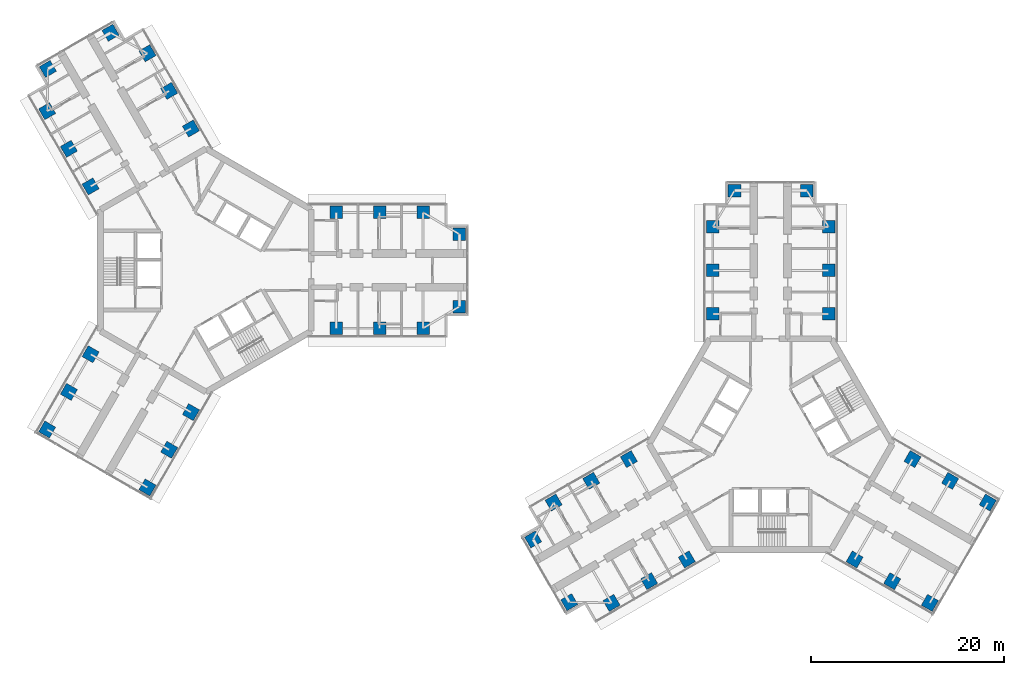
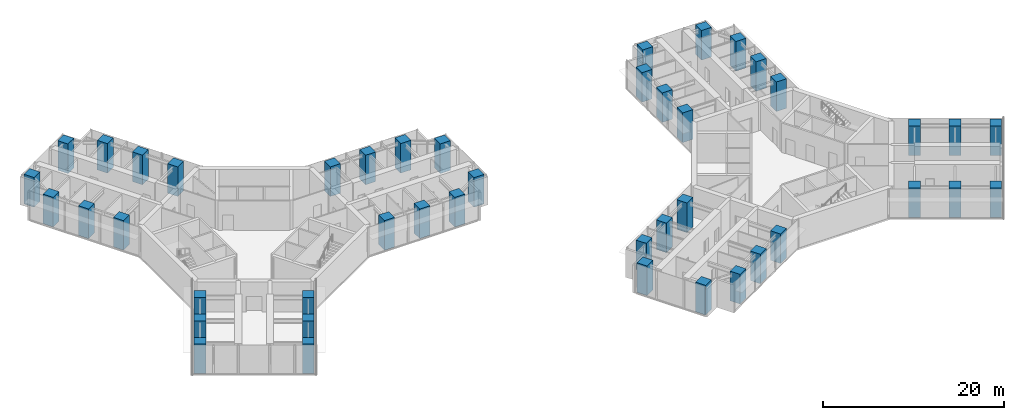
# One storey, part 1 of 22: 44 columns.
"""IFC4 building model written with IfcOpenShell, lengths in metres."""

import ifcopenshell
import ifcopenshell.guid

model = None  # the IFC model being written
_history = None  # IfcOwnerHistory: only IFC2X3 demands one
_inside = {}  # id of a spatial element -> (the spatial element, [elements in it])
_under = {}  # id of a project, library or spatial element -> (it, [spatial elements below it])
_declared = {}  # id of a project -> (the project, [libraries it declares])
_typed = {}  # id of a type object -> (the type object, [elements of that type])
_made_of = {}  # id of a material, layer set ... -> (it, [elements and type objects made of it])


def new_model(schema):
    """Start an empty IFC model of exactly this schema.

    Asked for "IFC4X3", IfcOpenShell would pick the latest addendum, in which some entities
    have other attributes; the version numbers below select the first issue.
    IFC2X3 requires an IfcOwnerHistory on every rooted entity: one is made here for all.
    """
    global model, _history
    if schema == "IFC4X3":
        model = ifcopenshell.file(schema_version=(4, 3, 0, 0))
    else:
        model = ifcopenshell.file(schema=schema)
    _inside.clear()
    _under.clear()
    _declared.clear()
    _typed.clear()
    _made_of.clear()
    _history = None
    if model.schema == "IFC2X3":
        org = make("IfcOrganization", Name="unknown")
        user = make(
            "IfcPersonAndOrganization",
            ThePerson=make("IfcPerson", FamilyName="unknown"),
            TheOrganization=org,
        )
        app = make(
            "IfcApplication",
            ApplicationDeveloper=org,
            Version="unknown",
            ApplicationFullName="unknown",
            ApplicationIdentifier="unknown",
        )
        _history = make(
            "IfcOwnerHistory",
            OwningUser=user,
            OwningApplication=app,
            ChangeAction="ADDED",
            CreationDate=0,
        )
    return model


def make(cls, **values):
    """One entity of the class cls with the attributes given. An attribute that is None is left unset."""
    return model.create_entity(
        cls, **{name: value for name, value in values.items() if value is not None}
    )


def rooted(cls, **values):
    """An entity with a GlobalId (a new one), such as an element, a storey or a relation."""
    return make(cls, GlobalId=ifcopenshell.guid.new(), OwnerHistory=_history, **values)


def si_unit(unit_type, name, prefix=None):
    """IfcSIUnit, for example si_unit("LENGTHUNIT", "METRE", prefix="MILLI")."""
    return make("IfcSIUnit", UnitType=unit_type, Prefix=prefix, Name=name)


def assignment(units):
    """IfcUnitAssignment: the units of a project."""
    return None if units is None else make("IfcUnitAssignment", Units=units)


def point(xyz):
    """IfcCartesianPoint."""
    return None if xyz is None else make("IfcCartesianPoint", Coordinates=xyz)


def direction(xyz):
    """IfcDirection."""
    return None if xyz is None else make("IfcDirection", DirectionRatios=xyz)


def frame(location, z_axis=None, x_axis=None):
    """IfcAxis2Placement3D, a coordinate frame: its origin and axes. An axis left out is left unset."""
    return make(
        "IfcAxis2Placement3D",
        Location=point(location),
        Axis=direction(z_axis),
        RefDirection=direction(x_axis),
    )


def frame_2d(location, x_axis=None):
    """IfcAxis2Placement2D, a coordinate frame in the plane: its origin and x axis."""
    return make(
        "IfcAxis2Placement2D", Location=point(location), RefDirection=direction(x_axis)
    )


def origin():
    """The frame at (0, 0, 0) with its axes left unset."""
    return frame((0.0, 0.0, 0.0))


def origin_2d():
    """The frame at (0, 0) in the plane with its x axis left unset."""
    return frame_2d((0.0, 0.0))


def place(relative_to, where):
    """IfcLocalPlacement: puts the frame where relative to a parent placement (None: the world)."""
    return make(
        "IfcLocalPlacement", PlacementRelTo=relative_to, RelativePlacement=where
    )


def context(
    kind, dimensions, precision=None, world=None, true_north=None, identifier=None
):
    """IfcGeometricRepresentationContext, for example the 3D "Model" context."""
    return make(
        "IfcGeometricRepresentationContext",
        ContextIdentifier=identifier,
        ContextType=kind,
        CoordinateSpaceDimension=dimensions,
        Precision=precision,
        WorldCoordinateSystem=world,
        TrueNorth=true_north,
    )


def subcontext(parent, identifier, kind, view, scale=None):
    """IfcGeometricRepresentationSubContext, for example "Body" below "Model"."""
    return make(
        "IfcGeometricRepresentationSubContext",
        ContextIdentifier=identifier,
        ContextType=kind,
        ParentContext=parent,
        TargetScale=scale,
        TargetView=view,
    )


def project(units=None, contexts=None):
    """IfcProject with its units and contexts."""
    return rooted(
        "IfcProject",
        Name="project",
        RepresentationContexts=contexts,
        UnitsInContext=assignment(units),
    )


def spatial(cls, under=None, at=None, **own):
    """A site, building, storey or space (cls), placed at a placement, below another one or the project."""
    s = rooted(cls, ObjectPlacement=at, **own)
    if under is not None:
        _under.setdefault(under.id(), (under, []))[1].append(s)
    return s


def profile(cls, at=None, kind="AREA", **sizes):
    """A parametric profile (cls). Its sizes go by their IFC names, for example OverallWidth=200.0."""
    return make(cls, ProfileType=kind, Position=at, **sizes)


def rectangle(**sizes):
    """IfcRectangleProfileDef."""
    return profile("IfcRectangleProfileDef", **sizes)


def extrude(swept, where, along, depth):
    """IfcExtrudedAreaSolid: the profile swept, set in the frame where, extruded along a direction by depth."""
    return make(
        "IfcExtrudedAreaSolid",
        SweptArea=swept,
        Position=where,
        ExtrudedDirection=direction(along),
        Depth=depth,
    )


def shape(context_of_items, identifier, shape_type, items):
    """IfcShapeRepresentation: the items that make up one representation, for example the "Body"."""
    return make(
        "IfcShapeRepresentation",
        ContextOfItems=context_of_items,
        RepresentationIdentifier=identifier,
        RepresentationType=shape_type,
        Items=items,
    )


def material(Name=None, Category=None):
    """IfcMaterial."""
    return make("IfcMaterial", Name=Name, Category=Category)


def material_profile(
    of_material, cross_section, Name=None, Category=None, Priority=None
):
    """IfcMaterialProfile: a cross section and its material."""
    return make(
        "IfcMaterialProfile",
        Name=Name,
        Material=of_material,
        Profile=cross_section,
        Priority=Priority,
        Category=Category,
    )


def profile_set(profiles, Name=None, composite=None):
    """IfcMaterialProfileSet."""
    return make(
        "IfcMaterialProfileSet",
        Name=Name,
        MaterialProfiles=profiles,
        CompositeProfile=composite,
    )


def made_of(thing, what):
    """Note that an element or type object is made of a material, layer set ...; save() writes the relation."""
    if what is not None:
        _made_of.setdefault(what.id(), (what, []))[1].append(thing)
    return thing


def type_object(cls, material=None, **own):
    """A type object (cls), such as IfcWallType, which elements share."""
    return made_of(rooted(cls, **own), material)


def element(
    cls,
    number,
    at=None,
    inside=None,
    cuts=None,
    type_object=None,
    material=None,
    context=None,
    identifier="Body",
    shape_type=None,
    held_by="IfcProductDefinitionShape",
    body=None,
    shapes=None,
    **own,
):
    """One element of the class cls, such as IfcWall. Its Tag is "e" and its number.

    at: its placement. inside: the storey or other place that contains it. cuts: it is an
    opening in that element (IfcRelVoidsElement). A single representation is given by context,
    identifier, shape_type and body (its items); several are given by shapes. held_by: the class
    of the entity that holds the representations. save() writes the other relations.
    """
    e = rooted(cls, Tag="e%d" % number, ObjectPlacement=at, **own)
    if body is not None:
        shapes = [shape(context, identifier, shape_type, body)]
    if shapes is not None:
        e.Representation = make(held_by, Representations=shapes)
    if inside is not None:
        _inside.setdefault(inside.id(), (inside, []))[1].append(e)
    if cuts is not None:
        rooted(
            "IfcRelVoidsElement", RelatingBuildingElement=cuts, RelatedOpeningElement=e
        )
    if type_object is not None:
        _typed.setdefault(type_object.id(), (type_object, []))[1].append(e)
    return made_of(e, material)


def aggregate(whole, parts):
    """IfcRelAggregates: a whole, such as a stair, and the parts it consists of."""
    return rooted("IfcRelAggregates", RelatingObject=whole, RelatedObjects=parts)


def save(model, path):
    """Write the relations noted so far, then the file.

    IfcRelAggregates (storeys below a building ...), IfcRelContainedInSpatialStructure (elements
    in a storey), IfcRelDefinesByType, IfcRelAssociatesMaterial and IfcRelDeclares: one each for
    every whole, place, type object, material and project.
    """
    for whole, parts in _under.values():
        aggregate(whole, parts)
    for where, things in _inside.values():
        rooted(
            "IfcRelContainedInSpatialStructure",
            RelatedElements=things,
            RelatingStructure=where,
        )
    for kind, things in _typed.values():
        rooted("IfcRelDefinesByType", RelatedObjects=things, RelatingType=kind)
    for what, things in _made_of.values():
        rooted("IfcRelAssociatesMaterial", RelatedObjects=things, RelatingMaterial=what)
    for by, libraries in _declared.values():
        rooted("IfcRelDeclares", RelatingContext=by, RelatedDefinitions=libraries)
    model.write(path)


model = new_model("IFC4")

# Units and contexts
model_context = context("Model", 3, precision=1e-05, world=origin(), true_north=direction((0.0, 1.0)))
body_context = subcontext(model_context, "Body", "Model", "MODEL_VIEW")
ifc_project = project(units=[si_unit("LENGTHUNIT", "METRE"), si_unit("AREAUNIT", "SQUARE_METRE"), si_unit("VOLUMEUNIT", "CUBIC_METRE"), si_unit("PLANEANGLEUNIT", "RADIAN"), si_unit("MASSUNIT", "GRAM", prefix="KILO")], contexts=[model_context])

# Site, building, storey
site_placement = place(None, origin())
site = spatial("IfcSite", under=ifc_project, at=site_placement, CompositionType="ELEMENT")
building_placement = place(site_placement, origin())
building = spatial("IfcBuilding", under=site, at=building_placement, Name="Upepo Twin Towers", CompositionType="ELEMENT")
storey_placement = place(building_placement, frame((0.0, 0.0, 141.5)))
storey = spatial("IfcBuildingStorey", under=building, at=storey_placement, Name="L34", CompositionType="ELEMENT", Elevation=141.5)

# Columns
ifc_material = material(Name="Concrete C60/75", Category="concrete")
ifc_material_profile = material_profile(ifc_material, rectangle(XDim=1.300048828125, YDim=1.300048828125, at=origin_2d()), Name="RC 1300x1300")
ifc_profile_set = profile_set([ifc_material_profile], Name="Concrete C60/75")
column_type = type_object("IfcColumnType", Name="Tower column RC 1300x1300", PredefinedType="COLUMN", material=ifc_profile_set)
for number, where, z_axis, x_axis, name in (
    (1, (13.5, 6.0, 0.0), (0.0, 0.0, 1.0), (1.0, 0.0, 0.0), "T1 column AL135"),
    (2, (13.5, -6.0, 0.0), (0.0, 0.0, 1.0), (1.0, 0.0, 0.0), "T1 column AR135"),
    (3, (18.0, 6.0, 0.0), (0.0, 0.0, 1.0), (1.0, 0.0, 0.0), "T1 column AL180"),
    (4, (18.0, -6.0, 0.0), (0.0, 0.0, 1.0), (1.0, 0.0, 0.0), "T1 column AR180"),
    (5, (22.5, 6.0, 0.0), (0.0, 0.0, 1.0), (1.0, 0.0, 0.0), "T1 column AL225"),
    (6, (22.5, -6.0, 0.0), (0.0, 0.0, 1.0), (1.0, 0.0, 0.0), "T1 column AR225"),
    (7, (26.25, 3.75, 0.0), (0.0, 0.0, 1.0), (1.0, 0.0, 0.0), "T1 column ALN"),
    (8, (26.25, -3.75, 0.0), (0.0, 0.0, 1.0), (1.0, 0.0, 0.0), "T1 column ARN"),
    (9, (-11.946044921875, 8.69140625, 0.0), (0.0, 0.0, 1.0), (0.866025403784, 0.5, 0.0), "T1 column BL135"),
    (10, (-1.553955078125, 14.69140625, 0.0), (0.0, 0.0, 1.0), (0.866025403784, 0.5, 0.0), "T1 column BR135"),
    (11, (-14.196044921875, 12.58837890625, 0.0), (0.0, 0.0, 1.0), (0.866025403784, 0.5, 0.0), "T1 column BL180"),
    (12, (-3.803955078125, 18.58837890625, 0.0), (0.0, 0.0, 1.0), (0.866025403784, 0.5, 0.0), "T1 column BR180"),
    (13, (-16.446044921875, 16.485595703125, 0.0), (0.0, 0.0, 1.0), (0.866025403784, 0.5, 0.0), "T1 column BL225"),
    (14, (-6.053955078125, 22.485595703125, 0.0), (0.0, 0.0, 1.0), (0.866025403784, 0.5, 0.0), "T1 column BR225"),
    (15, (-16.37255859375, 20.858154296875, 0.0), (0.0, 0.0, 1.0), (0.866025403784, 0.5, 0.0), "T1 column BLN"),
    (16, (-9.87744140625, 24.608154296875, 0.0), (0.0, 0.0, 1.0), (0.866025403784, 0.5, 0.0), "T1 column BRN"),
    (17, (-1.553955078125, -14.69140625, 0.0), (0.0, 0.0, 1.0), (0.5, 0.866025403784, 0.0), "T1 column CL135"),
    (18, (-11.946044921875, -8.69140625, 0.0), (0.0, 0.0, 1.0), (0.5, 0.866025403784, 0.0), "T1 column CR135"),
    (19, (-3.803955078125, -18.58837890625, 0.0), (0.0, 0.0, 1.0), (0.5, 0.866025403784, 0.0), "T1 column CL180"),
    (20, (-14.196044921875, -12.58837890625, 0.0), (0.0, 0.0, 1.0), (0.5, 0.866025403784, 0.0), "T1 column CR180"),
    (21, (-6.053955078125, -22.485595703125, 0.0), (0.0, 0.0, 1.0), (0.5, 0.866025403784, 0.0), "T1 column CL225"),
    (22, (-16.446044921875, -16.485595703125, 0.0), (0.0, 0.0, 1.0), (0.5, 0.866025403784, 0.0), "T1 column CR225"),
    (23, (52.5, -4.5, 0.0), (0.0, 0.0, 1.0), (1.0, 0.0, 0.0), "T2 column AL135"),
    (24, (64.5, -4.5, 0.0), (0.0, 0.0, 1.0), (1.0, 0.0, 0.0), "T2 column AR135"),
    (25, (52.5, 0.0, 0.0), (0.0, 0.0, 1.0), (1.0, 0.0, 0.0), "T2 column AL180"),
    (26, (64.5, 0.0, 0.0), (0.0, 0.0, 1.0), (1.0, 0.0, 0.0), "T2 column AR180"),
    (27, (52.5, 4.5, 0.0), (0.0, 0.0, 1.0), (1.0, 0.0, 0.0), "T2 column AL225"),
    (28, (64.5, 4.5, 0.0), (0.0, 0.0, 1.0), (1.0, 0.0, 0.0), "T2 column AR225"),
    (29, (54.75, 8.25, 0.0), (0.0, 0.0, 1.0), (1.0, 0.0, 0.0), "T2 column ALN"),
    (30, (62.25, 8.25, 0.0), (0.0, 0.0, 1.0), (1.0, 0.0, 0.0), "T2 column ARN"),
    (31, (49.80859375, -29.946044921875, 0.0), (0.0, 0.0, 1.0), (0.866025403784, 0.5, 0.0), "T2 column BL135"),
    (32, (43.80859375, -19.553955078125, 0.0), (0.0, 0.0, 1.0), (0.866025403784, 0.5, 0.0), "T2 column BR135"),
    (33, (45.91162109375, -32.196044921875, 0.0), (0.0, 0.0, 1.0), (0.866025403784, 0.5, 0.0), "T2 column BL180"),
    (34, (39.91162109375, -21.803955078125, 0.0), (0.0, 0.0, 1.0), (0.866025403784, 0.5, 0.0), "T2 column BR180"),
    (35, (42.014404296875, -34.446044921875, 0.0), (0.0, 0.0, 1.0), (0.866025403784, 0.5, 0.0), "T2 column BL225"),
    (36, (36.014404296875, -24.053955078125, 0.0), (0.0, 0.0, 1.0), (0.866025403784, 0.5, 0.0), "T2 column BR225"),
    (37, (37.641845703125, -34.37255859375, 0.0), (0.0, 0.0, 1.0), (0.866025403784, 0.5, 0.0), "T2 column BLN"),
    (38, (33.891845703125, -27.87744140625, 0.0), (0.0, 0.0, 1.0), (0.866025403784, 0.5, 0.0), "T2 column BRN"),
    (39, (73.19140625, -19.553955078125, 0.0), (0.0, 0.0, 1.0), (0.5, 0.866025403784, 0.0), "T2 column CL135"),
    (40, (67.19140625, -29.946044921875, 0.0), (0.0, 0.0, 1.0), (0.5, 0.866025403784, 0.0), "T2 column CR135"),
    (41, (77.08837890625, -21.803955078125, 0.0), (0.0, 0.0, 1.0), (0.5, 0.866025403784, 0.0), "T2 column CL180"),
    (42, (71.08837890625, -32.196044921875, 0.0), (0.0, 0.0, 1.0), (0.5, 0.866025403784, 0.0), "T2 column CR180"),
    (43, (80.985595703125, -24.053955078125, 0.0), (0.0, 0.0, 1.0), (0.5, 0.866025403784, 0.0), "T2 column CL225"),
    (44, (74.985595703125, -34.446044921875, 0.0), (0.0, 0.0, 1.0), (0.5, 0.866025403784, 0.0), "T2 column CR225"),
):
    element("IfcColumn", number, at=place(storey_placement, frame(where, z_axis=z_axis, x_axis=x_axis)), inside=storey, type_object=column_type, Name=name, PredefinedType="COLUMN", context=body_context, shape_type="SweptSolid", body=[
        extrude(rectangle(XDim=1.300048828125, YDim=1.300048828125, at=origin_2d()), origin(), (0.0, 0.0, 1.0), 4.0),
    ])

save(model, "model.ifc")
